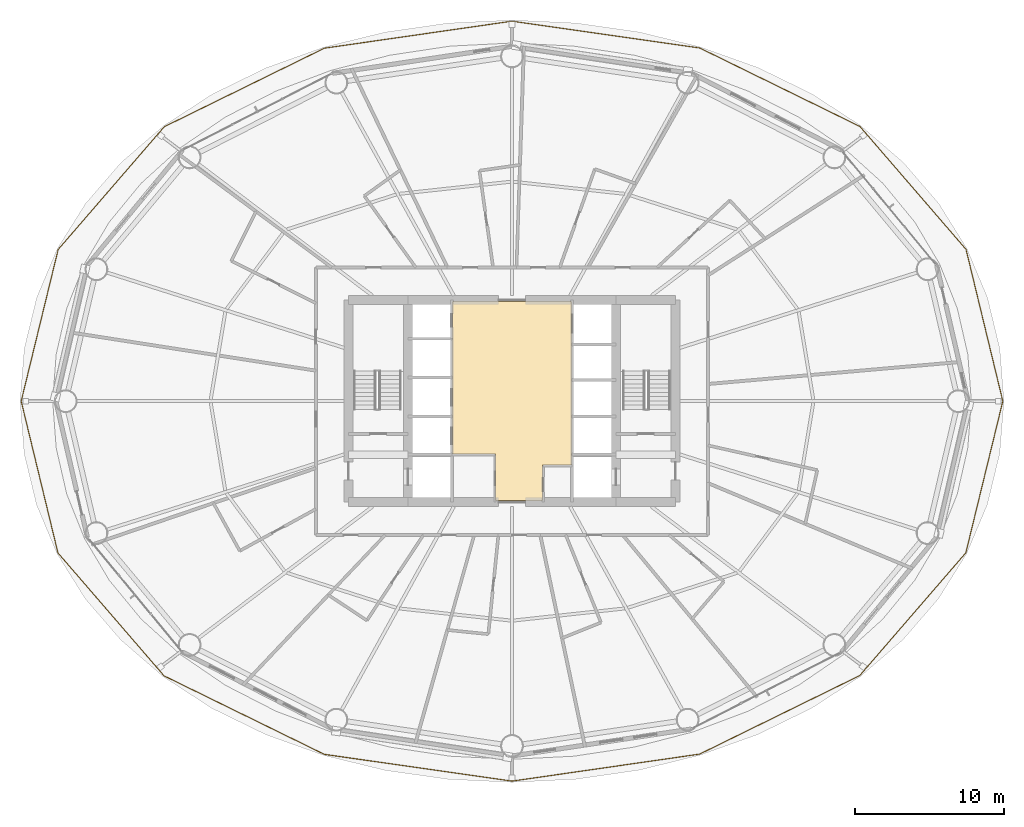
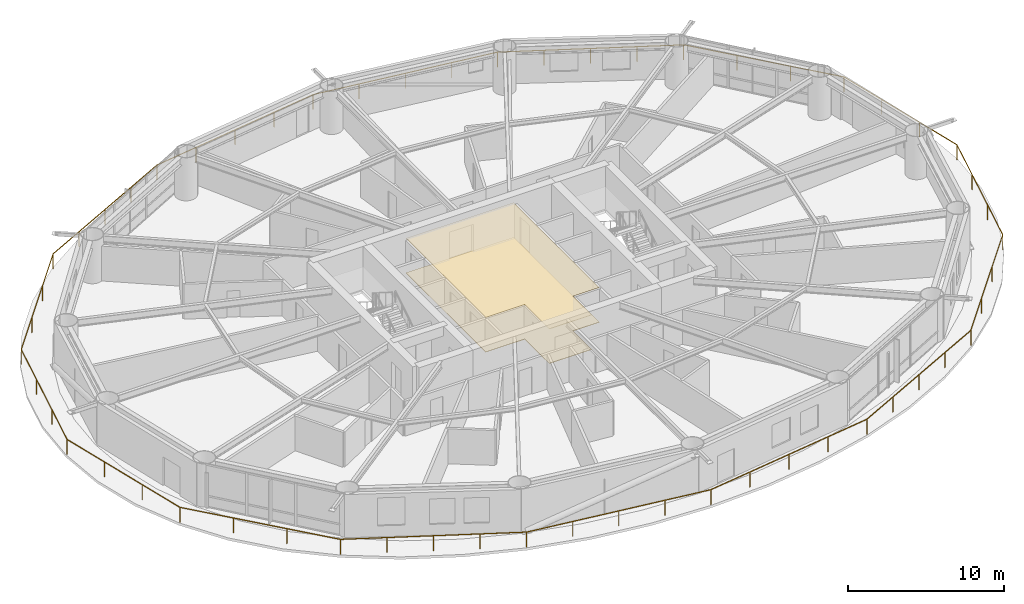
# One storey, part 27 of 28: 2 coverings, 1 railing.
"""IFC4 building model written with IfcOpenShell, lengths in metres."""

from ifc_helpers import new_model, si_unit, direction, frame, origin, origin_2d, place, context, subcontext, project, spatial, polyline, rectangle, outline, extrude, material, layer, layer_set, type_object, element, save


model = new_model("IFC4")

# Units and contexts
model_context = context("Model", 3, precision=1e-05, world=origin(), true_north=direction((0.0, 1.0)))
body_context = subcontext(model_context, "Body", "Model", "MODEL_VIEW")
ifc_project = project(units=[si_unit("LENGTHUNIT", "METRE"), si_unit("AREAUNIT", "SQUARE_METRE"), si_unit("VOLUMEUNIT", "CUBIC_METRE"), si_unit("PLANEANGLEUNIT", "RADIAN"), si_unit("MASSUNIT", "GRAM", prefix="KILO")], contexts=[model_context])

# Site, building, storey
site_placement = place(None, origin())
site = spatial("IfcSite", under=ifc_project, at=site_placement, CompositionType="ELEMENT")
building_placement = place(site_placement, origin())
building = spatial("IfcBuilding", under=site, at=building_placement, Name="Sarneth Arch Tower", CompositionType="ELEMENT")
storey_placement = place(building_placement, frame((0.0, 0.0, 31.800048828125)))
storey = spatial("IfcBuildingStorey", under=building, at=storey_placement, Name="L06", CompositionType="ELEMENT", Elevation=31.800048828125)

# Coverings
ifc_material_1 = material(Name="Perforated acoustic gypsum ceiling board")
ifc_layer_1 = layer(ifc_material_1, 0.02490234375)
ifc_layer_set_1 = layer_set([ifc_layer_1], Name="Perforated acoustic gypsum ceiling board")
covering_type_1 = type_object("IfcCoveringType", Name="COV-CEIL-GYP", PredefinedType="CEILING", material=ifc_layer_set_1)
covering_1_placement = place(storey_placement, frame((0.0, 0.0, 2.7099609375)))
element("IfcCovering", 1, at=covering_1_placement, inside=storey, type_object=covering_type_1, Name="L06 Lift lobby acoustic ceiling", PredefinedType="CEILING", context=body_context, shape_type="SweptSolid", body=[
    extrude(outline(polyline([(52.0, 37.699951171875), (50.050048828125, 37.699951171875), (50.050048828125, 35.300048828125), (46.89990234375, 35.300048828125), (46.89990234375, 38.449951171875), (44.0, 38.449951171875), (44.0, 48.699951171875), (52.0, 48.699951171875), (52.0, 37.699951171875)])), origin(), (0.0, 0.0, 1.0), 0.030029296875),
])
ifc_material_2 = material(Name="Honed granite stone flooring", Category="masonry")
ifc_layer_2 = layer(ifc_material_2, 0.030029296875)
ifc_layer_set_2 = layer_set([ifc_layer_2], Name="Honed granite stone flooring")
covering_type_2 = type_object("IfcCoveringType", Name="COV-FLR-STONE", PredefinedType="FLOORING", material=ifc_layer_set_2)
covering_2_placement = place(storey_placement, origin())
element("IfcCovering", 2, at=covering_2_placement, inside=storey, type_object=covering_type_2, Name="L06 Lift lobby granite flooring", PredefinedType="FLOORING", context=body_context, shape_type="SweptSolid", body=[
    extrude(outline(polyline([(52.0, 37.699951171875), (50.050048828125, 37.699951171875), (50.050048828125, 35.300048828125), (46.89990234375, 35.300048828125), (46.89990234375, 38.449951171875), (44.0, 38.449951171875), (44.0, 48.699951171875), (52.0, 48.699951171875), (52.0, 37.699951171875)])), origin(), (0.0, 0.0, 1.0), 0.030029296875),
])

# Railing
ifc_material_3 = material(Name="Laminated structural glass infill with Stainless Steel 316 top rail and posts", Category="steel")
railing_type = type_object("IfcRailingType", Name="RAIL-BALC-1200", PredefinedType="BALUSTRADE", material=ifc_material_3)
railing_placement = place(storey_placement, frame((81.029296875, 42.0, 0.0)))
element("IfcRailing", 3, at=railing_placement, inside=storey, type_object=railing_type, Name="L06 Helical balcony glass balustrade", PredefinedType="BALUSTRADE", context=body_context, shape_type="SweptSolid", body=[
    extrude(rectangle(XDim=0.048095703125, YDim=0.048095703125, at=origin_2d()), frame((0.0, 0.0, 1.17578125), z_axis=(-0.235439106958, 0.971889102169, 0.0), x_axis=(-0.971889102169, -0.235439106958, 0.0)), (0.0, 0.0, 1.0), 10.508544921875),
    extrude(rectangle(XDim=0.048095703125, YDim=0.048095703125, at=origin_2d()), frame((-2.47412109375, 10.213134765625, 1.17578125), z_axis=(-0.653453488253, 0.756966669471, 0.0), x_axis=(-0.756966669471, -0.653453488253, 0.0)), (0.0, 0.0, 1.0), 10.92724609375),
    extrude(rectangle(XDim=0.048095703125, YDim=0.048095703125, at=origin_2d()), frame((-9.614501953125, 18.484619140625, 1.17578125), z_axis=(-0.898025491472, 0.439943424392, 0.0), x_axis=(-0.439943424392, -0.898025491472, 0.0)), (0.0, 0.0, 1.0), 12.006103515625),
    extrude(rectangle(XDim=0.048095703125, YDim=0.048095703125, at=origin_2d()), frame((-20.396240234375, 23.7666015625, 1.17578125), z_axis=(-0.989960586896, 0.141343681824, 0.0), x_axis=(-0.141343681824, -0.989960586896, 0.0)), (0.0, 0.0, 1.0), 12.76123046875),
    extrude(rectangle(XDim=0.048095703125, YDim=0.048095703125, at=origin_2d()), frame((-33.029296875, 25.5703125, 1.17578125), z_axis=(-0.989786186763, -0.14255982777, 0.0), x_axis=(0.14255982777, -0.989786186763, 0.0)), (0.0, 0.0, 1.0), 12.758544921875),
    extrude(rectangle(XDim=0.048095703125, YDim=0.048095703125, at=origin_2d()), frame((-45.657470703125, 23.75146484375, 1.17578125), z_axis=(-0.897787133248, -0.440429634987, 0.0), x_axis=(0.440429634987, -0.897787133248, 0.0)), (0.0, 0.0, 1.0), 11.99951171875),
    extrude(rectangle(XDim=0.048095703125, YDim=0.048095703125, at=origin_2d()), frame((-56.430419921875, 18.466552734375, 1.17578125), z_axis=(-0.653892265192, -0.756587672066, 0.0), x_axis=(0.756587672066, -0.653892265192, 0.0)), (0.0, 0.0, 1.0), 10.9189453125),
    extrude(rectangle(XDim=0.048095703125, YDim=0.048095703125, at=origin_2d()), frame((-63.5703125, 10.205322265625, 1.17578125), z_axis=(-0.236882342803, -0.971538344929, 0.0), x_axis=(0.971538344929, -0.236882342803, 0.0)), (0.0, 0.0, 1.0), 10.50439453125),
    extrude(rectangle(XDim=0.048095703125, YDim=0.048095703125, at=origin_2d()), frame((-66.05859375, 0.0, 1.17578125), z_axis=(0.235439106958, -0.971889102169, 0.0), x_axis=(0.971889102169, 0.235439106958, 0.0)), (0.0, 0.0, 1.0), 10.508544921875),
    extrude(rectangle(XDim=0.048095703125, YDim=0.048095703125, at=origin_2d()), frame((-63.58447265625, -10.213134765625, 1.17578125), z_axis=(0.653453488253, -0.756966669471, 0.0), x_axis=(0.756966669471, 0.653453488253, 0.0)), (0.0, 0.0, 1.0), 10.92724609375),
    extrude(rectangle(XDim=0.048095703125, YDim=0.048095703125, at=origin_2d()), frame((-56.444091796875, -18.484619140625, 1.17578125), z_axis=(0.898025491472, -0.439943424392, 0.0), x_axis=(0.439943424392, 0.898025491472, 0.0)), (0.0, 0.0, 1.0), 12.006103515625),
    extrude(rectangle(XDim=0.048095703125, YDim=0.048095703125, at=origin_2d()), frame((-45.662353515625, -23.7666015625, 1.17578125), z_axis=(0.989960586896, -0.141343681824, 0.0), x_axis=(0.141343681824, 0.989960586896, 0.0)), (0.0, 0.0, 1.0), 12.76123046875),
    extrude(rectangle(XDim=0.048095703125, YDim=0.048095703125, at=origin_2d()), frame((-33.029296875, -25.5703125, 1.17578125), z_axis=(0.989786186763, 0.14255982777, 0.0), x_axis=(-0.14255982777, 0.989786186763, 0.0)), (0.0, 0.0, 1.0), 12.758544921875),
    extrude(rectangle(XDim=0.048095703125, YDim=0.048095703125, at=origin_2d()), frame((-20.401123046875, -23.75146484375, 1.17578125), z_axis=(0.897787133248, 0.440429634987, 0.0), x_axis=(-0.440429634987, 0.897787133248, 0.0)), (0.0, 0.0, 1.0), 11.99951171875),
    extrude(rectangle(XDim=0.048095703125, YDim=0.048095703125, at=origin_2d()), frame((-9.628173828125, -18.466552734375, 1.17578125), z_axis=(0.653892265192, 0.756587672066, 0.0), x_axis=(-0.756587672066, 0.653892265192, 0.0)), (0.0, 0.0, 1.0), 10.9189453125),
    extrude(rectangle(XDim=0.048095703125, YDim=0.048095703125, at=origin_2d()), frame((-2.48828125, -10.205322265625, 1.17578125), z_axis=(0.236882342803, 0.971538344929, 0.0), x_axis=(-0.971538344929, 0.236882342803, 0.0)), (0.0, 0.0, 1.0), 10.50439453125),
    extrude(rectangle(XDim=0.0419921875, YDim=0.0419921875, at=origin_2d()), origin(), (0.0, 0.0, 1.0), 1.15185546875),
    extrude(rectangle(XDim=0.0419921875, YDim=0.0419921875, at=origin_2d()), frame((-0.82470703125, 3.404296875, 0.0)), (0.0, 0.0, 1.0), 1.15185546875),
    extrude(rectangle(XDim=0.0419921875, YDim=0.0419921875, at=origin_2d()), frame((-1.6494140625, 6.808837890625, 0.0)), (0.0, 0.0, 1.0), 1.15185546875),
    extrude(rectangle(XDim=0.0419921875, YDim=0.0419921875, at=origin_2d()), frame((-2.47412109375, 10.213134765625, 0.0)), (0.0, 0.0, 1.0), 1.15185546875),
    extrude(rectangle(XDim=0.0419921875, YDim=0.0419921875, at=origin_2d()), frame((-4.854248046875, 12.97021484375, 0.0)), (0.0, 0.0, 1.0), 1.15185546875),
    extrude(rectangle(XDim=0.0419921875, YDim=0.0419921875, at=origin_2d()), frame((-7.234375, 15.7275390625, 0.0)), (0.0, 0.0, 1.0), 1.15185546875),
    extrude(rectangle(XDim=0.0419921875, YDim=0.0419921875, at=origin_2d()), frame((-9.614501953125, 18.484619140625, 0.0)), (0.0, 0.0, 1.0), 1.15185546875),
    extrude(rectangle(XDim=0.0419921875, YDim=0.0419921875, at=origin_2d()), frame((-12.31005859375, 19.80517578125, 0.0)), (0.0, 0.0, 1.0), 1.15185546875),
    extrude(rectangle(XDim=0.0419921875, YDim=0.0419921875, at=origin_2d()), frame((-15.00537109375, 21.12548828125, 0.0)), (0.0, 0.0, 1.0), 1.15185546875),
    extrude(rectangle(XDim=0.0419921875, YDim=0.0419921875, at=origin_2d()), frame((-17.70068359375, 22.446044921875, 0.0)), (0.0, 0.0, 1.0), 1.15185546875),
    extrude(rectangle(XDim=0.0419921875, YDim=0.0419921875, at=origin_2d()), frame((-20.396240234375, 23.7666015625, 0.0)), (0.0, 0.0, 1.0), 1.15185546875),
    extrude(rectangle(XDim=0.0419921875, YDim=0.0419921875, at=origin_2d()), frame((-23.554443359375, 24.217529296875, 0.0)), (0.0, 0.0, 1.0), 1.15185546875),
    extrude(rectangle(XDim=0.0419921875, YDim=0.0419921875, at=origin_2d()), frame((-26.712890625, 24.66845703125, 0.0)), (0.0, 0.0, 1.0), 1.15185546875),
    extrude(rectangle(XDim=0.0419921875, YDim=0.0419921875, at=origin_2d()), frame((-29.87109375, 25.119384765625, 0.0)), (0.0, 0.0, 1.0), 1.15185546875),
    extrude(rectangle(XDim=0.0419921875, YDim=0.0419921875, at=origin_2d()), frame((-33.029296875, 25.5703125, 0.0)), (0.0, 0.0, 1.0), 1.15185546875),
    extrude(rectangle(XDim=0.0419921875, YDim=0.0419921875, at=origin_2d()), frame((-36.186279296875, 25.11572265625, 0.0)), (0.0, 0.0, 1.0), 1.15185546875),
    extrude(rectangle(XDim=0.0419921875, YDim=0.0419921875, at=origin_2d()), frame((-39.34326171875, 24.660888671875, 0.0)), (0.0, 0.0, 1.0), 1.15185546875),
    extrude(rectangle(XDim=0.0419921875, YDim=0.0419921875, at=origin_2d()), frame((-42.50048828125, 24.2060546875, 0.0)), (0.0, 0.0, 1.0), 1.15185546875),
    extrude(rectangle(XDim=0.0419921875, YDim=0.0419921875, at=origin_2d()), frame((-45.657470703125, 23.75146484375, 0.0)), (0.0, 0.0, 1.0), 1.15185546875),
    extrude(rectangle(XDim=0.0419921875, YDim=0.0419921875, at=origin_2d()), frame((-48.3505859375, 22.43017578125, 0.0)), (0.0, 0.0, 1.0), 1.15185546875),
    extrude(rectangle(XDim=0.0419921875, YDim=0.0419921875, at=origin_2d()), frame((-51.0439453125, 21.10888671875, 0.0)), (0.0, 0.0, 1.0), 1.15185546875),
    extrude(rectangle(XDim=0.0419921875, YDim=0.0419921875, at=origin_2d()), frame((-53.7373046875, 19.787841796875, 0.0)), (0.0, 0.0, 1.0), 1.15185546875),
    extrude(rectangle(XDim=0.0419921875, YDim=0.0419921875, at=origin_2d()), frame((-56.430419921875, 18.466552734375, 0.0)), (0.0, 0.0, 1.0), 1.15185546875),
    extrude(rectangle(XDim=0.0419921875, YDim=0.0419921875, at=origin_2d()), frame((-58.810302734375, 15.712890625, 0.0)), (0.0, 0.0, 1.0), 1.15185546875),
    extrude(rectangle(XDim=0.0419921875, YDim=0.0419921875, at=origin_2d()), frame((-61.1904296875, 12.958984375, 0.0)), (0.0, 0.0, 1.0), 1.15185546875),
    extrude(rectangle(XDim=0.0419921875, YDim=0.0419921875, at=origin_2d()), frame((-63.5703125, 10.205322265625, 0.0)), (0.0, 0.0, 1.0), 1.15185546875),
    extrude(rectangle(XDim=0.0419921875, YDim=0.0419921875, at=origin_2d()), frame((-64.399658203125, 6.803466796875, 0.0)), (0.0, 0.0, 1.0), 1.15185546875),
    extrude(rectangle(XDim=0.0419921875, YDim=0.0419921875, at=origin_2d()), frame((-65.229248046875, 3.40185546875, 0.0)), (0.0, 0.0, 1.0), 1.15185546875),
    extrude(rectangle(XDim=0.0419921875, YDim=0.0419921875, at=origin_2d()), frame((-66.05859375, 0.0, 0.0)), (0.0, 0.0, 1.0), 1.15185546875),
    extrude(rectangle(XDim=0.0419921875, YDim=0.0419921875, at=origin_2d()), frame((-65.23388671875, -3.404296875, 0.0)), (0.0, 0.0, 1.0), 1.15185546875),
    extrude(rectangle(XDim=0.0419921875, YDim=0.0419921875, at=origin_2d()), frame((-64.4091796875, -6.808837890625, 0.0)), (0.0, 0.0, 1.0), 1.15185546875),
    extrude(rectangle(XDim=0.0419921875, YDim=0.0419921875, at=origin_2d()), frame((-63.58447265625, -10.213134765625, 0.0)), (0.0, 0.0, 1.0), 1.15185546875),
    extrude(rectangle(XDim=0.0419921875, YDim=0.0419921875, at=origin_2d()), frame((-61.204345703125, -12.97021484375, 0.0)), (0.0, 0.0, 1.0), 1.15185546875),
    extrude(rectangle(XDim=0.0419921875, YDim=0.0419921875, at=origin_2d()), frame((-58.82421875, -15.7275390625, 0.0)), (0.0, 0.0, 1.0), 1.15185546875),
    extrude(rectangle(XDim=0.0419921875, YDim=0.0419921875, at=origin_2d()), frame((-56.444091796875, -18.484619140625, 0.0)), (0.0, 0.0, 1.0), 1.15185546875),
    extrude(rectangle(XDim=0.0419921875, YDim=0.0419921875, at=origin_2d()), frame((-53.74853515625, -19.80517578125, 0.0)), (0.0, 0.0, 1.0), 1.15185546875),
    extrude(rectangle(XDim=0.0419921875, YDim=0.0419921875, at=origin_2d()), frame((-51.05322265625, -21.12548828125, 0.0)), (0.0, 0.0, 1.0), 1.15185546875),
    extrude(rectangle(XDim=0.0419921875, YDim=0.0419921875, at=origin_2d()), frame((-48.35791015625, -22.446044921875, 0.0)), (0.0, 0.0, 1.0), 1.15185546875),
    extrude(rectangle(XDim=0.0419921875, YDim=0.0419921875, at=origin_2d()), frame((-45.662353515625, -23.7666015625, 0.0)), (0.0, 0.0, 1.0), 1.15185546875),
    extrude(rectangle(XDim=0.0419921875, YDim=0.0419921875, at=origin_2d()), frame((-42.504150390625, -24.217529296875, 0.0)), (0.0, 0.0, 1.0), 1.15185546875),
    extrude(rectangle(XDim=0.0419921875, YDim=0.0419921875, at=origin_2d()), frame((-39.345703125, -24.66845703125, 0.0)), (0.0, 0.0, 1.0), 1.15185546875),
    extrude(rectangle(XDim=0.0419921875, YDim=0.0419921875, at=origin_2d()), frame((-36.1875, -25.119384765625, 0.0)), (0.0, 0.0, 1.0), 1.15185546875),
    extrude(rectangle(XDim=0.0419921875, YDim=0.0419921875, at=origin_2d()), frame((-33.029296875, -25.5703125, 0.0)), (0.0, 0.0, 1.0), 1.15185546875),
    extrude(rectangle(XDim=0.0419921875, YDim=0.0419921875, at=origin_2d()), frame((-29.872314453125, -25.11572265625, 0.0)), (0.0, 0.0, 1.0), 1.15185546875),
    extrude(rectangle(XDim=0.0419921875, YDim=0.0419921875, at=origin_2d()), frame((-26.71533203125, -24.660888671875, 0.0)), (0.0, 0.0, 1.0), 1.15185546875),
    extrude(rectangle(XDim=0.0419921875, YDim=0.0419921875, at=origin_2d()), frame((-23.55810546875, -24.2060546875, 0.0)), (0.0, 0.0, 1.0), 1.15185546875),
    extrude(rectangle(XDim=0.0419921875, YDim=0.0419921875, at=origin_2d()), frame((-20.401123046875, -23.75146484375, 0.0)), (0.0, 0.0, 1.0), 1.15185546875),
    extrude(rectangle(XDim=0.0419921875, YDim=0.0419921875, at=origin_2d()), frame((-17.7080078125, -22.43017578125, 0.0)), (0.0, 0.0, 1.0), 1.15185546875),
    extrude(rectangle(XDim=0.0419921875, YDim=0.0419921875, at=origin_2d()), frame((-15.0146484375, -21.10888671875, 0.0)), (0.0, 0.0, 1.0), 1.15185546875),
    extrude(rectangle(XDim=0.0419921875, YDim=0.0419921875, at=origin_2d()), frame((-12.3212890625, -19.787841796875, 0.0)), (0.0, 0.0, 1.0), 1.15185546875),
    extrude(rectangle(XDim=0.0419921875, YDim=0.0419921875, at=origin_2d()), frame((-9.628173828125, -18.466552734375, 0.0)), (0.0, 0.0, 1.0), 1.15185546875),
    extrude(rectangle(XDim=0.0419921875, YDim=0.0419921875, at=origin_2d()), frame((-7.248291015625, -15.712890625, 0.0)), (0.0, 0.0, 1.0), 1.15185546875),
    extrude(rectangle(XDim=0.0419921875, YDim=0.0419921875, at=origin_2d()), frame((-4.8681640625, -12.958984375, 0.0)), (0.0, 0.0, 1.0), 1.15185546875),
    extrude(rectangle(XDim=0.0419921875, YDim=0.0419921875, at=origin_2d()), frame((-2.48828125, -10.205322265625, 0.0)), (0.0, 0.0, 1.0), 1.15185546875),
    extrude(rectangle(XDim=0.0419921875, YDim=0.0419921875, at=origin_2d()), frame((-1.658935546875, -6.803466796875, 0.0)), (0.0, 0.0, 1.0), 1.15185546875),
    extrude(rectangle(XDim=0.0419921875, YDim=0.0419921875, at=origin_2d()), frame((-0.829345703125, -3.40185546875, 0.0)), (0.0, 0.0, 1.0), 1.15185546875),
])

save(model, "model.ifc")
